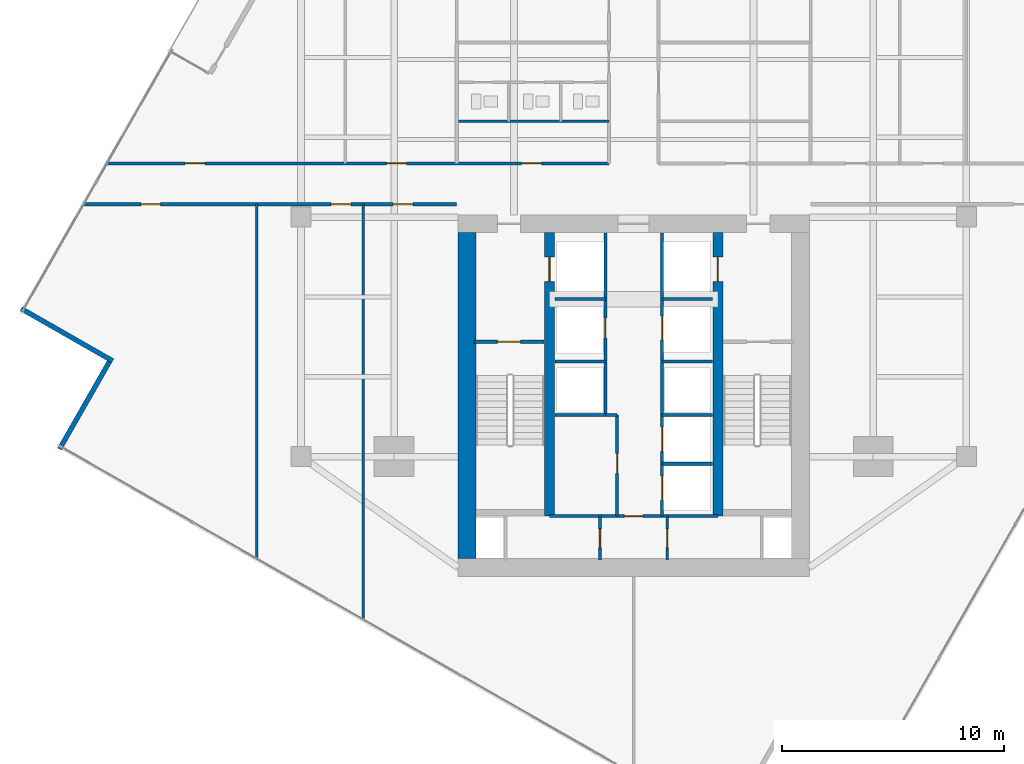
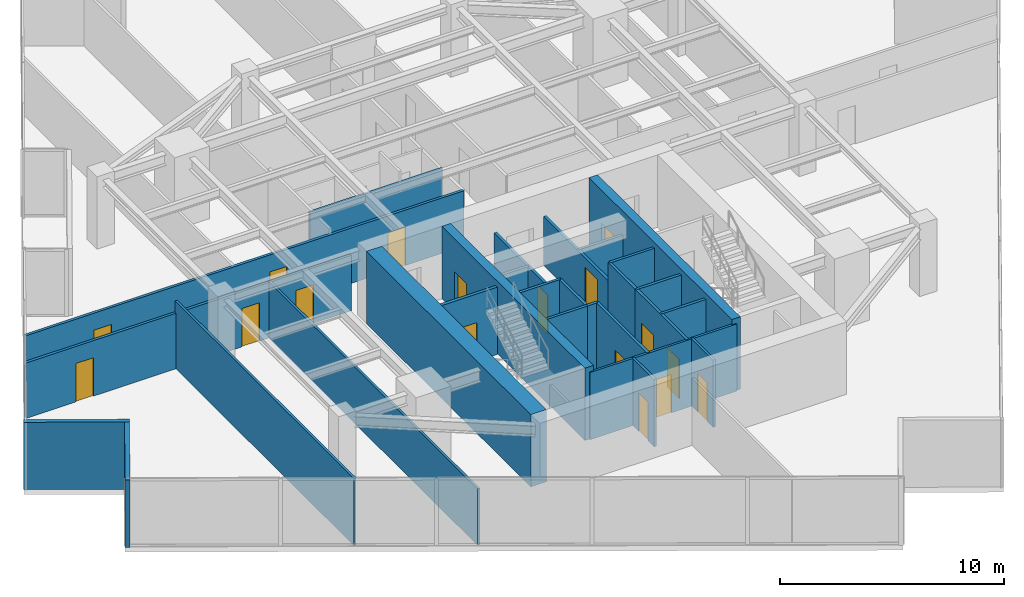
# One storey, part 20 of 24: 28 walls, 17 doors, 17 openings.
"""IFC4 building model written with IfcOpenShell, lengths in metres."""

from ifc_helpers import new_model, si_unit, direction, frame, frame_2d, origin, place, context, subcontext, project, spatial, rectangle, extrude, material, layer, layer_set, type_object, element, fill, save


model = new_model("IFC4")

# Units and contexts
model_context = context("Model", 3, precision=1e-05, world=origin(), true_north=direction((0.0, 1.0)))
body_context = subcontext(model_context, "Body", "Model", "MODEL_VIEW")
ifc_project = project(units=[si_unit("LENGTHUNIT", "METRE"), si_unit("AREAUNIT", "SQUARE_METRE"), si_unit("VOLUMEUNIT", "CUBIC_METRE"), si_unit("PLANEANGLEUNIT", "RADIAN"), si_unit("MASSUNIT", "GRAM", prefix="KILO")], contexts=[model_context])

# Site, building, storey
site_placement = place(None, origin())
site = spatial("IfcSite", under=ifc_project, at=site_placement, CompositionType="ELEMENT")
building_placement = place(site_placement, origin())
building = spatial("IfcBuilding", under=site, at=building_placement, Name="Krantzveldt Concourse Tower", CompositionType="ELEMENT")
storey_placement = place(building_placement, frame((0.0, 0.0, 169.89990234375)))
storey = spatial("IfcBuildingStorey", under=building, at=storey_placement, Name="L41", CompositionType="ELEMENT", Elevation=169.89990234375)

# Walls
ifc_material_1 = material(Name="Anodised aluminium 6063-T6", Category="aluminium")
ifc_layer_1 = layer(ifc_material_1, 0.219970703125, Name="Anodised aluminium 6063-T6", Category="aluminium")
ifc_layer_set_1 = layer_set([ifc_layer_1], Name="Anodised aluminium 6063-T6 (WL-EXT-NOTCH220)")
wall_type_1 = type_object("IfcWallType", Name="WL-EXT-NOTCH220", PredefinedType="ELEMENTEDWALL", material=ifc_layer_set_1)
wall_1_placement = place(storey_placement, frame((8.38525390625, 22.568359375, 0.0), z_axis=(0.0, 0.0, 1.0), x_axis=(0.868192474665, -0.496227595903, 0.0)))
element("IfcWall", 1, at=wall_1_placement, inside=storey, type_object=wall_type_1, Name="EW-L41-NCH06", PredefinedType="ELEMENTEDWALL", context=body_context, shape_type="SweptSolid", body=[
    extrude(rectangle(XDim=4.744873046875, YDim=0.219970703125, at=frame_2d((2.37255859375, 0.0))), origin(), (0.0, 0.0, 1.0), 3.670166015625),
])
wall_2_placement = place(storey_placement, frame((12.354736328125, 20.1728515625, 0.0), z_axis=(0.0, 0.0, 1.0), x_axis=(-0.496226094278, -0.868193332938, 0.0)))
element("IfcWall", 2, at=wall_2_placement, inside=storey, type_object=wall_type_1, Name="EW-L41-NCH07", PredefinedType="ELEMENTEDWALL", context=body_context, shape_type="SweptSolid", body=[
    extrude(rectangle(XDim=4.52490234375, YDim=0.219970703125, at=frame_2d((2.262451171875, 0.0))), origin(), (0.0, 0.0, 1.0), 3.670166015625),
])

# Wall, opening, door
ifc_material_2 = material(Name="Fire-rated gypsum plasterboard on steel stud", Category="steel")
ifc_layer_2 = layer(ifc_material_2, 0.1201171875, Name="Fire-rated gypsum plasterboard on steel stud", Category="steel")
ifc_layer_set_2 = layer_set([ifc_layer_2], Name="Fire-rated gypsum plasterboard on steel stud (WL-PART-120)")
wall_type_2 = type_object("IfcWallType", Name="WL-PART-120", PredefinedType="PARTITIONING", material=ifc_layer_set_2)
wall_3_placement = place(storey_placement, frame((32.2099609375, 13.219970703125, 0.0), z_axis=(0.0, 0.0, 1.0), x_axis=(1.0, 0.0, 0.0)))
wall_3 = element("IfcWall", 3, at=wall_3_placement, inside=storey, type_object=wall_type_2, Name="WP-L41-CS2H", PredefinedType="PARTITIONING", context=body_context, shape_type="SweptSolid", body=[
    extrude(rectangle(XDim=7.580078125, YDim=0.1201171875, at=frame_2d((3.7900390625, 0.0))), origin(), (0.0, 0.0, 1.0), 3.670166015625),
])
opening_1_placement = place(wall_3_placement, frame((3.364990234375, 0.0, 0.0)))
opening_1 = element("IfcOpeningElement", 4, at=opening_1_placement, cuts=wall_3, Name="Opening D-IN085", PredefinedType="OPENING", context=body_context, shape_type="SweptSolid", body=[
    extrude(rectangle(XDim=0.85009765625, YDim=2.10009765625, at=frame_2d((0.425048828125, 1.050048828125))), frame((0.0, 0.070068359375, 0.0), z_axis=(0.0, -1.0, 0.0), x_axis=(1.0, 0.0, 0.0)), (0.0, 0.0, 1.0), 0.14013671875),
])
ifc_material_3 = material(Name="Hardwood timber", Category="wood")
door_type_1 = type_object("IfcDoorType", Name="DR-INT-850", OperationType="SINGLE_SWING_LEFT", PredefinedType="DOOR", material=ifc_material_3)
door_1_placement = place(opening_1_placement, origin())
door_1 = element("IfcDoor", 5, at=door_1_placement, inside=storey, type_object=door_type_1, Name="DR-L41-LLBS", OperationType="SINGLE_SWING_RIGHT", OverallHeight=2.10009765625, OverallWidth=0.85009765625, PredefinedType="DOOR", context=body_context, shape_type="SweptSolid", body=[
    extrude(rectangle(XDim=0.85009765625, YDim=2.10009765625, at=frame_2d((0.425048828125, 1.050048828125))), frame((0.0, 0.02490234375, 0.0), z_axis=(0.0, -1.0, 0.0), x_axis=(1.0, 0.0, 0.0)), (0.0, 0.0, 1.0), 0.050048828125),
])
fill(opening_1, door_1)

wall_4_placement = place(storey_placement, frame((34.47998046875, 11.25, 0.0), z_axis=(0.0, 0.0, 1.0), x_axis=(0.0, 1.0, 0.0)))
wall_4 = element("IfcWall", 6, at=wall_4_placement, inside=storey, type_object=wall_type_2, Name="WP-L41-CSB-VL", PredefinedType="PARTITIONING", context=body_context, shape_type="SweptSolid", body=[
    extrude(rectangle(XDim=1.969970703125, YDim=0.1201171875, at=frame_2d((0.98486328125, 0.0))), origin(), (0.0, 0.0, 1.0), 3.670166015625),
])
opening_2_placement = place(wall_4_placement, frame((0.544921875, 0.0, 0.0)))
opening_2 = element("IfcOpeningElement", 7, at=opening_2_placement, cuts=wall_4, Name="Opening D-IN085", PredefinedType="OPENING", context=body_context, shape_type="SweptSolid", body=[
    extrude(rectangle(XDim=0.85009765625, YDim=2.10009765625, at=frame_2d((0.425048828125, 1.050048828125))), frame((0.0, 0.070068359375, 0.0), z_axis=(0.0, -1.0, 0.0), x_axis=(1.0, 0.0, 0.0)), (0.0, 0.0, 1.0), 0.14013671875),
])
door_2_placement = place(opening_2_placement, origin())
door_2 = element("IfcDoor", 8, at=door_2_placement, inside=storey, type_object=door_type_1, Name="DR-L41-CSB1", OperationType="SINGLE_SWING_LEFT", OverallHeight=2.10009765625, OverallWidth=0.85009765625, PredefinedType="DOOR", context=body_context, shape_type="SweptSolid", body=[
    extrude(rectangle(XDim=0.85009765625, YDim=2.10009765625, at=frame_2d((0.425048828125, 1.050048828125))), frame((0.0, 0.02490234375, 0.0), z_axis=(0.0, -1.0, 0.0), x_axis=(1.0, 0.0, 0.0)), (0.0, 0.0, 1.0), 0.050048828125),
])
fill(opening_2, door_2)

wall_5_placement = place(storey_placement, frame((37.52001953125, 11.25, 0.0), z_axis=(0.0, 0.0, 1.0), x_axis=(0.0, 1.0, 0.0)))
wall_5 = element("IfcWall", 9, at=wall_5_placement, inside=storey, type_object=wall_type_2, Name="WP-L41-CSB-VR", PredefinedType="PARTITIONING", context=body_context, shape_type="SweptSolid", body=[
    extrude(rectangle(XDim=1.969970703125, YDim=0.1201171875, at=frame_2d((0.98486328125, 0.0))), origin(), (0.0, 0.0, 1.0), 3.670166015625),
])
opening_3_placement = place(wall_5_placement, frame((0.544921875, 0.0, 0.0)))
opening_3 = element("IfcOpeningElement", 10, at=opening_3_placement, cuts=wall_5, Name="Opening D-IN085", PredefinedType="OPENING", context=body_context, shape_type="SweptSolid", body=[
    extrude(rectangle(XDim=0.85009765625, YDim=2.10009765625, at=frame_2d((0.425048828125, 1.050048828125))), frame((0.0, 0.070068359375, 0.0), z_axis=(0.0, -1.0, 0.0), x_axis=(1.0, 0.0, 0.0)), (0.0, 0.0, 1.0), 0.14013671875),
])
door_3_placement = place(opening_3_placement, origin())
door_3 = element("IfcDoor", 11, at=door_3_placement, inside=storey, type_object=door_type_1, Name="DR-L41-CSB2", OperationType="SINGLE_SWING_RIGHT", OverallHeight=2.10009765625, OverallWidth=0.85009765625, PredefinedType="DOOR", context=body_context, shape_type="SweptSolid", body=[
    extrude(rectangle(XDim=0.85009765625, YDim=2.10009765625, at=frame_2d((0.425048828125, 1.050048828125))), frame((0.0, 0.02490234375, 0.0), z_axis=(0.0, -1.0, 0.0), x_axis=(1.0, 0.0, 0.0)), (0.0, 0.0, 1.0), 0.050048828125),
])
fill(opening_3, door_3)

# Walls
wall_6_placement = place(storey_placement, frame((28.02001953125, 31.02001953125, 0.0), z_axis=(0.0, 0.0, 1.0), x_axis=(1.0, 0.0, 0.0)))
element("IfcWall", 12, at=wall_6_placement, inside=storey, type_object=wall_type_2, Name="WP-L41-ISML", PredefinedType="PARTITIONING", context=body_context, shape_type="SweptSolid", body=[
    extrude(rectangle(XDim=6.85986328125, YDim=0.1201171875, at=frame_2d((3.429931640625, 0.0))), origin(), (0.0, 0.0, 1.0), 3.080078125),
])
wall_7_placement = place(storey_placement, frame((19.0, 11.29541015625, 0.0), z_axis=(0.0, 0.0, 1.0), x_axis=(0.0, 1.0, 0.0)))
element("IfcWall", 13, at=wall_7_placement, inside=storey, type_object=wall_type_2, Name="WP-L41-SWX1", PredefinedType="PARTITIONING", context=body_context, shape_type="SweptSolid", body=[
    extrude(rectangle(XDim=15.984619140625, YDim=0.1201171875, at=frame_2d((7.9921875, 0.0))), origin(), (0.0, 0.0, 1.0), 3.670166015625),
])
wall_8_placement = place(storey_placement, frame((23.800048828125, 8.552001953125, 0.0), z_axis=(0.0, 0.0, 1.0), x_axis=(0.0, 1.0, 0.0)))
element("IfcWall", 14, at=wall_8_placement, inside=storey, type_object=wall_type_2, Name="WP-L41-SWX2", PredefinedType="PARTITIONING", context=body_context, shape_type="SweptSolid", body=[
    extrude(rectangle(XDim=18.72802734375, YDim=0.1201171875, at=frame_2d((9.364013671875, 0.0))), origin(), (0.0, 0.0, 1.0), 3.080078125),
])

# Wall, openings, doors
ifc_layer_3 = layer(ifc_material_2, 0.139892578125, Name="Fire-rated gypsum plasterboard on steel stud", Category="steel")
ifc_layer_set_3 = layer_set([ifc_layer_3], Name="Fire-rated gypsum plasterboard on steel stud (WL-PART-140)")
wall_type_3 = type_object("IfcWallType", Name="WL-PART-140", PredefinedType="PARTITIONING", material=ifc_layer_set_3)
wall_9_placement = place(storey_placement, frame((12.26220703125, 29.1201171875, 0.0), z_axis=(0.0, 0.0, 1.0), x_axis=(1.0, 0.0, 0.0)))
wall_9 = element("IfcWall", 15, at=wall_9_placement, inside=storey, type_object=wall_type_3, Name="WP-L41-EWNL", PredefinedType="PARTITIONING", context=body_context, shape_type="SweptSolid", body=[
    extrude(rectangle(XDim=22.61767578125, YDim=0.139892578125, at=frame_2d((11.308837890625, 0.0))), origin(), (0.0, 0.0, 1.0), 3.030029296875),
])
opening_4_placement = place(wall_9_placement, frame((18.687744140625, 0.0, 0.0)))
opening_4 = element("IfcOpeningElement", 16, at=opening_4_placement, cuts=wall_9, Name="Opening D-IN090", PredefinedType="OPENING", context=body_context, shape_type="SweptSolid", body=[
    extrude(rectangle(XDim=0.89990234375, YDim=2.10009765625, at=frame_2d((0.449951171875, 1.050048828125))), frame((0.0, 0.080078125, 0.0), z_axis=(0.0, -1.0, 0.0), x_axis=(1.0, 0.0, 0.0)), (0.0, 0.0, 1.0), 0.159912109375),
])
opening_5_placement = place(wall_9_placement, frame((3.513916015625, 0.0, 0.0)))
opening_5 = element("IfcOpeningElement", 17, at=opening_5_placement, cuts=wall_9, Name="Opening D-IN090", PredefinedType="OPENING", context=body_context, shape_type="SweptSolid", body=[
    extrude(rectangle(XDim=0.89990234375, YDim=2.10009765625, at=frame_2d((0.449951171875, 1.050048828125))), frame((0.0, 0.080078125, 0.0), z_axis=(0.0, -1.0, 0.0), x_axis=(1.0, 0.0, 0.0)), (0.0, 0.0, 1.0), 0.159912109375),
])
opening_6_placement = place(wall_9_placement, frame((12.587890625, 0.0, 0.0)))
opening_6 = element("IfcOpeningElement", 18, at=opening_6_placement, cuts=wall_9, Name="Opening D-IN090", PredefinedType="OPENING", context=body_context, shape_type="SweptSolid", body=[
    extrude(rectangle(XDim=0.89990234375, YDim=2.10009765625, at=frame_2d((0.449951171875, 1.050048828125))), frame((0.0, 0.080078125, 0.0), z_axis=(0.0, -1.0, 0.0), x_axis=(1.0, 0.0, 0.0)), (0.0, 0.0, 1.0), 0.159912109375),
])
door_type_2 = type_object("IfcDoorType", Name="DR-INT-900", OperationType="SINGLE_SWING_LEFT", PredefinedType="DOOR", material=ifc_material_3)
door_4_placement = place(opening_4_placement, origin())
door_4 = element("IfcDoor", 19, at=door_4_placement, inside=storey, type_object=door_type_2, Name="DR-L41-ALCL", OperationType="SINGLE_SWING_LEFT", OverallHeight=2.10009765625, OverallWidth=0.89990234375, PredefinedType="DOOR", context=body_context, shape_type="SweptSolid", body=[
    extrude(rectangle(XDim=0.89990234375, YDim=2.10009765625, at=frame_2d((0.449951171875, 1.050048828125))), frame((0.0, 0.02490234375, 0.0), z_axis=(0.0, -1.0, 0.0), x_axis=(1.0, 0.0, 0.0)), (0.0, 0.0, 1.0), 0.050048828125),
])
fill(opening_4, door_4)
door_5_placement = place(opening_5_placement, origin())
door_5 = element("IfcDoor", 20, at=door_5_placement, inside=storey, type_object=door_type_2, Name="DR-L41-NWX1", OperationType="SINGLE_SWING_LEFT", OverallHeight=2.10009765625, OverallWidth=0.89990234375, PredefinedType="DOOR", context=body_context, shape_type="SweptSolid", body=[
    extrude(rectangle(XDim=0.89990234375, YDim=2.10009765625, at=frame_2d((0.449951171875, 1.050048828125))), frame((0.0, 0.02490234375, 0.0), z_axis=(0.0, -1.0, 0.0), x_axis=(1.0, 0.0, 0.0)), (0.0, 0.0, 1.0), 0.050048828125),
])
fill(opening_5, door_5)
door_6_placement = place(opening_6_placement, origin())
door_6 = element("IfcDoor", 21, at=door_6_placement, inside=storey, type_object=door_type_2, Name="DR-L41-NWX2", OperationType="SINGLE_SWING_LEFT", OverallHeight=2.10009765625, OverallWidth=0.89990234375, PredefinedType="DOOR", context=body_context, shape_type="SweptSolid", body=[
    extrude(rectangle(XDim=0.89990234375, YDim=2.10009765625, at=frame_2d((0.449951171875, 1.050048828125))), frame((0.0, 0.02490234375, 0.0), z_axis=(0.0, -1.0, 0.0), x_axis=(1.0, 0.0, 0.0)), (0.0, 0.0, 1.0), 0.050048828125),
])
fill(opening_6, door_6)

wall_10_placement = place(storey_placement, frame((11.21044921875, 27.280029296875, 0.0), z_axis=(0.0, 0.0, 1.0), x_axis=(1.0, 0.0, 0.0)))
wall_10 = element("IfcWall", 22, at=wall_10_placement, inside=storey, type_object=wall_type_3, Name="WP-L41-EWSL", PredefinedType="PARTITIONING", context=body_context, shape_type="SweptSolid", body=[
    extrude(rectangle(XDim=16.78955078125, YDim=0.139892578125, at=frame_2d((8.394775390625, 0.0))), origin(), (0.0, 0.0, 1.0), 3.030029296875),
])
opening_7_placement = place(wall_10_placement, frame((2.5654296875, 0.0, 0.0)))
opening_7 = element("IfcOpeningElement", 23, at=opening_7_placement, cuts=wall_10, Name="Opening D-IN090", PredefinedType="OPENING", context=body_context, shape_type="SweptSolid", body=[
    extrude(rectangle(XDim=0.89990234375, YDim=2.10009765625, at=frame_2d((0.449951171875, 1.050048828125))), frame((0.0, 0.080078125, 0.0), z_axis=(0.0, -1.0, 0.0), x_axis=(1.0, 0.0, 0.0)), (0.0, 0.0, 1.0), 0.159912109375),
])
opening_8_placement = place(wall_10_placement, frame((11.139404296875, 0.0, 0.0)))
opening_8 = element("IfcOpeningElement", 24, at=opening_8_placement, cuts=wall_10, Name="Opening D-IN090", PredefinedType="OPENING", context=body_context, shape_type="SweptSolid", body=[
    extrude(rectangle(XDim=0.89990234375, YDim=2.10009765625, at=frame_2d((0.449951171875, 1.050048828125))), frame((0.0, 0.080078125, 0.0), z_axis=(0.0, -1.0, 0.0), x_axis=(1.0, 0.0, 0.0)), (0.0, 0.0, 1.0), 0.159912109375),
])
opening_9_placement = place(wall_10_placement, frame((13.939453125, 0.0, 0.0)))
opening_9 = element("IfcOpeningElement", 25, at=opening_9_placement, cuts=wall_10, Name="Opening D-IN090", PredefinedType="OPENING", context=body_context, shape_type="SweptSolid", body=[
    extrude(rectangle(XDim=0.89990234375, YDim=2.10009765625, at=frame_2d((0.449951171875, 1.050048828125))), frame((0.0, 0.080078125, 0.0), z_axis=(0.0, -1.0, 0.0), x_axis=(1.0, 0.0, 0.0)), (0.0, 0.0, 1.0), 0.159912109375),
])
door_7_placement = place(opening_7_placement, origin())
door_7 = element("IfcDoor", 26, at=door_7_placement, inside=storey, type_object=door_type_2, Name="DR-L41-SWX1", OperationType="SINGLE_SWING_LEFT", OverallHeight=2.10009765625, OverallWidth=0.89990234375, PredefinedType="DOOR", context=body_context, shape_type="SweptSolid", body=[
    extrude(rectangle(XDim=0.89990234375, YDim=2.10009765625, at=frame_2d((0.449951171875, 1.050048828125))), frame((0.0, 0.02490234375, 0.0), z_axis=(0.0, -1.0, 0.0), x_axis=(1.0, 0.0, 0.0)), (0.0, 0.0, 1.0), 0.050048828125),
])
fill(opening_7, door_7)
door_8_placement = place(opening_8_placement, origin())
door_8 = element("IfcDoor", 27, at=door_8_placement, inside=storey, type_object=door_type_2, Name="DR-L41-SWX2", OperationType="SINGLE_SWING_LEFT", OverallHeight=2.10009765625, OverallWidth=0.89990234375, PredefinedType="DOOR", context=body_context, shape_type="SweptSolid", body=[
    extrude(rectangle(XDim=0.89990234375, YDim=2.10009765625, at=frame_2d((0.449951171875, 1.050048828125))), frame((0.0, 0.02490234375, 0.0), z_axis=(0.0, -1.0, 0.0), x_axis=(1.0, 0.0, 0.0)), (0.0, 0.0, 1.0), 0.050048828125),
])
fill(opening_8, door_8)
door_9_placement = place(opening_9_placement, origin())
door_9 = element("IfcDoor", 28, at=door_9_placement, inside=storey, type_object=door_type_2, Name="DR-L41-SWX3", OperationType="SINGLE_SWING_LEFT", OverallHeight=2.10009765625, OverallWidth=0.89990234375, PredefinedType="DOOR", context=body_context, shape_type="SweptSolid", body=[
    extrude(rectangle(XDim=0.89990234375, YDim=2.10009765625, at=frame_2d((0.449951171875, 1.050048828125))), frame((0.0, 0.02490234375, 0.0), z_axis=(0.0, -1.0, 0.0), x_axis=(1.0, 0.0, 0.0)), (0.0, 0.0, 1.0), 0.050048828125),
])
fill(opening_9, door_9)

# Wall, opening, door
ifc_layer_4 = layer(ifc_material_2, 0.139892578125, Name="Fire-rated gypsum plasterboard on steel stud", Category="steel")
ifc_layer_set_4 = layer_set([ifc_layer_4], Name="Fire-rated gypsum plasterboard on steel stud (WL-PART-FR140)")
wall_type_4 = type_object("IfcWallType", Name="WL-PART-FR140", PredefinedType="PARTITIONING", material=ifc_layer_set_4)
wall_11_placement = place(storey_placement, frame((34.719970703125, 20.199951171875, 0.0), z_axis=(0.0, 0.0, 1.0), x_axis=(0.0, 1.0, 0.0)))
wall_11 = element("IfcWall", 29, at=wall_11_placement, inside=storey, type_object=wall_type_4, Name="WP-L41-SHNW", PredefinedType="PARTITIONING", context=body_context, shape_type="SweptSolid", body=[
    extrude(rectangle(XDim=5.780029296875, YDim=0.139892578125, at=frame_2d((2.89013671875, 0.0))), origin(), (0.0, 0.0, 1.0), 2.670166015625),
])
opening_10_placement = place(wall_11_placement, frame((1.050048828125, 0.0, 0.0)))
opening_10 = element("IfcOpeningElement", 30, at=opening_10_placement, cuts=wall_11, Name="Opening D-FD090", PredefinedType="OPENING", context=body_context, shape_type="SweptSolid", body=[
    extrude(rectangle(XDim=0.89990234375, YDim=2.10009765625, at=frame_2d((0.449951171875, 1.050048828125))), frame((0.0, 0.080078125, 0.0), z_axis=(0.0, -1.0, 0.0), x_axis=(1.0, 0.0, 0.0)), (0.0, 0.0, 1.0), 0.159912109375),
])
door_type_3 = type_object("IfcDoorType", Name="DR-FD60-900", OperationType="SINGLE_SWING_LEFT", PredefinedType="DOOR", material=ifc_material_3)
door_10_placement = place(opening_10_placement, origin())
door_10 = element("IfcDoor", 31, at=door_10_placement, inside=storey, type_object=door_type_3, Name="Electrical Riser Access Door L41", OperationType="SINGLE_SWING_LEFT", OverallHeight=2.10009765625, OverallWidth=0.89990234375, PredefinedType="DOOR", context=body_context, shape_type="SweptSolid", body=[
    extrude(rectangle(XDim=0.89990234375, YDim=2.10009765625, at=frame_2d((0.449951171875, 1.050048828125))), frame((0.0, 0.02490234375, 0.0), z_axis=(0.0, -1.0, 0.0), x_axis=(1.0, 0.0, 0.0)), (0.0, 0.0, 1.0), 0.050048828125),
])
fill(opening_10, door_10)

wall_12_placement = place(storey_placement, frame((37.280029296875, 20.199951171875, 0.0), z_axis=(0.0, 0.0, 1.0), x_axis=(0.0, 1.0, 0.0)))
wall_12 = element("IfcWall", 32, at=wall_12_placement, inside=storey, type_object=wall_type_4, Name="WP-L41-SHNE", PredefinedType="PARTITIONING", context=body_context, shape_type="SweptSolid", body=[
    extrude(rectangle(XDim=5.780029296875, YDim=0.139892578125, at=frame_2d((2.89013671875, 0.0))), origin(), (0.0, 0.0, 1.0), 2.670166015625),
])
opening_11_placement = place(wall_12_placement, frame((0.949951171875, 0.0, 0.0)))
opening_11 = element("IfcOpeningElement", 33, at=opening_11_placement, cuts=wall_12, Name="Opening LD", PredefinedType="OPENING", context=body_context, shape_type="SweptSolid", body=[
    extrude(rectangle(XDim=1.10009765625, YDim=2.14990234375, at=frame_2d((0.550048828125, 1.074951171875))), frame((0.0, 0.080078125, 0.0), z_axis=(0.0, -1.0, 0.0), x_axis=(1.0, 0.0, 0.0)), (0.0, 0.0, 1.0), 0.159912109375),
])
ifc_material_4 = material(Name="Stainless steel 316L", Category="steel")
door_type_4 = type_object("IfcDoorType", Name="DR-SLIDE-LD1100", OperationType="DOUBLE_DOOR_SLIDING", PredefinedType="DOOR", material=ifc_material_4)
door_11_placement = place(opening_11_placement, origin())
door_11 = element("IfcDoor", 34, at=door_11_placement, inside=storey, type_object=door_type_4, Name="LD-L41-GL1", OperationType="DOUBLE_DOOR_SLIDING", OverallHeight=2.14990234375, OverallWidth=1.10009765625, PredefinedType="DOOR", context=body_context, shape_type="SweptSolid", body=[
    extrude(rectangle(XDim=1.10009765625, YDim=2.14990234375, at=frame_2d((0.550048828125, 1.074951171875))), frame((0.0, 0.02490234375, 0.0), z_axis=(0.0, -1.0, 0.0), x_axis=(1.0, 0.0, 0.0)), (0.0, 0.0, 1.0), 0.050048828125),
])
fill(opening_11, door_11)

# Walls
for number, where, z_axis, x_axis, name in (
    (35, (32.449951171875, 23.0, 0.0), (0.0, 0.0, 1.0), (1.0, 0.0, 0.0), "WP-L41-RISH"),
    (36, (37.280029296875, 23.0, 0.0), (0.0, 0.0, 1.0), (1.0, 0.0, 0.0), "WP-L41-GLH"),
):
    element("IfcWall", number, at=place(storey_placement, frame(where, z_axis=z_axis, x_axis=x_axis)), inside=storey, type_object=wall_type_4, Name=name, PredefinedType="PARTITIONING", context=body_context, shape_type="SweptSolid", body=[
        extrude(rectangle(XDim=2.27001953125, YDim=0.139892578125, at=frame_2d((1.135009765625, 0.0))), origin(), (0.0, 0.0, 1.0), 2.670166015625),
    ])
for number, where, z_axis, x_axis, name in (
    (37, (34.719970703125, 17.780029296875, 0.0), (0.0, 0.0, 1.0), (0.0, 1.0, 0.0), "WP-L41-SHNW2"),
    (38, (37.280029296875, 17.780029296875, 0.0), (0.0, 0.0, 1.0), (0.0, 1.0, 0.0), "WP-L41-SHNE2"),
):
    element("IfcWall", number, at=place(storey_placement, frame(where, z_axis=z_axis, x_axis=x_axis)), inside=storey, type_object=wall_type_4, Name=name, PredefinedType="PARTITIONING", context=body_context, shape_type="SweptSolid", body=[
        extrude(rectangle(XDim=2.419921875, YDim=0.139892578125, at=frame_2d((1.2099609375, 0.0))), origin(), (0.0, 0.0, 1.0), 3.670166015625),
    ])
for number, where, z_axis, x_axis, name in (
    (39, (32.449951171875, 17.780029296875, 0.0), (0.0, 0.0, 1.0), (1.0, 0.0, 0.0), "WP-L41-DIVW2"),
    (40, (32.449951171875, 20.179931640625, 0.0), (0.0, 0.0, 1.0), (1.0, 0.0, 0.0), "WP-L41-DIVW3"),
    (41, (37.280029296875, 17.780029296875, 0.0), (0.0, 0.0, 1.0), (1.0, 0.0, 0.0), "WP-L41-DIVE2"),
    (42, (37.280029296875, 20.179931640625, 0.0), (0.0, 0.0, 1.0), (1.0, 0.0, 0.0), "WP-L41-DIVE3"),
):
    element("IfcWall", number, at=place(storey_placement, frame(where, z_axis=z_axis, x_axis=x_axis)), inside=storey, type_object=wall_type_4, Name=name, PredefinedType="PARTITIONING", context=body_context, shape_type="SweptSolid", body=[
        extrude(rectangle(XDim=2.27001953125, YDim=0.139892578125, at=frame_2d((1.135009765625, 0.0))), origin(), (0.0, 0.0, 1.0), 3.670166015625),
    ])

# Wall, opening, door
wall_13_placement = place(storey_placement, frame((35.25, 13.219970703125, 0.0), z_axis=(0.0, 0.0, 1.0), x_axis=(0.0, 1.0, 0.0)))
wall_13 = element("IfcWall", 43, at=wall_13_placement, inside=storey, type_object=wall_type_4, Name="WP-L41-RECW", PredefinedType="PARTITIONING", context=body_context, shape_type="SweptSolid", body=[
    extrude(rectangle(XDim=4.56005859375, YDim=0.139892578125, at=frame_2d((2.280029296875, 0.0))), origin(), (0.0, 0.0, 1.0), 3.670166015625),
])
opening_12_placement = place(wall_13_placement, frame((1.929931640625, 0.0, 0.0)))
opening_12 = element("IfcOpeningElement", 44, at=opening_12_placement, cuts=wall_13, Name="Opening D-FD090", PredefinedType="OPENING", context=body_context, shape_type="SweptSolid", body=[
    extrude(rectangle(XDim=0.89990234375, YDim=2.10009765625, at=frame_2d((0.449951171875, 1.050048828125))), frame((0.0, 0.080078125, 0.0), z_axis=(0.0, -1.0, 0.0), x_axis=(1.0, 0.0, 0.0)), (0.0, 0.0, 1.0), 0.159912109375),
])
door_12_placement = place(opening_12_placement, origin())
door_12 = element("IfcDoor", 45, at=door_12_placement, inside=storey, type_object=door_type_3, Name="DR-L41-RECW", OperationType="SINGLE_SWING_LEFT", OverallHeight=2.10009765625, OverallWidth=0.89990234375, PredefinedType="DOOR", context=body_context, shape_type="SweptSolid", body=[
    extrude(rectangle(XDim=0.89990234375, YDim=2.10009765625, at=frame_2d((0.449951171875, 1.050048828125))), frame((0.0, 0.02490234375, 0.0), z_axis=(0.0, -1.0, 0.0), x_axis=(1.0, 0.0, 0.0)), (0.0, 0.0, 1.0), 0.050048828125),
])
fill(opening_12, door_12)

# Wall
wall_14_placement = place(storey_placement, frame((34.719970703125, 17.780029296875, 0.0), z_axis=(0.0, 0.0, 1.0), x_axis=(1.0, 0.0, 0.0)))
element("IfcWall", 46, at=wall_14_placement, inside=storey, type_object=wall_type_4, Name="WP-L41-RECWN", PredefinedType="PARTITIONING", context=body_context, shape_type="SweptSolid", body=[
    extrude(rectangle(XDim=0.530029296875, YDim=0.139892578125, at=frame_2d((0.26513671875, 0.0))), origin(), (0.0, 0.0, 1.0), 3.670166015625),
])

# Wall, openings, doors
wall_15_placement = place(storey_placement, frame((37.280029296875, 13.219970703125, 0.0), z_axis=(0.0, 0.0, 1.0), x_axis=(0.0, 1.0, 0.0)))
wall_15 = element("IfcWall", 47, at=wall_15_placement, inside=storey, type_object=wall_type_4, Name="WP-L41-SHSE", PredefinedType="PARTITIONING", context=body_context, shape_type="SweptSolid", body=[
    extrude(rectangle(XDim=4.56005859375, YDim=0.139892578125, at=frame_2d((2.280029296875, 0.0))), origin(), (0.0, 0.0, 1.0), 3.670166015625),
])
opening_13_placement = place(wall_15_placement, frame((0.7099609375, 0.0, 0.0)))
opening_13 = element("IfcOpeningElement", 48, at=opening_13_placement, cuts=wall_15, Name="Opening LD", PredefinedType="OPENING", context=body_context, shape_type="SweptSolid", body=[
    extrude(rectangle(XDim=1.10009765625, YDim=2.14990234375, at=frame_2d((0.550048828125, 1.074951171875))), frame((0.0, 0.080078125, 0.0), z_axis=(0.0, -1.0, 0.0), x_axis=(1.0, 0.0, 0.0)), (0.0, 0.0, 1.0), 0.159912109375),
])
opening_14_placement = place(wall_15_placement, frame((2.909912109375, 0.0, 0.0)))
opening_14 = element("IfcOpeningElement", 49, at=opening_14_placement, cuts=wall_15, Name="Opening LD", PredefinedType="OPENING", context=body_context, shape_type="SweptSolid", body=[
    extrude(rectangle(XDim=1.10009765625, YDim=2.14990234375, at=frame_2d((0.550048828125, 1.074951171875))), frame((0.0, 0.080078125, 0.0), z_axis=(0.0, -1.0, 0.0), x_axis=(1.0, 0.0, 0.0)), (0.0, 0.0, 1.0), 0.159912109375),
])
door_13_placement = place(opening_13_placement, origin())
door_13 = element("IfcDoor", 50, at=door_13_placement, inside=storey, type_object=door_type_4, Name="LD-L41-PM1", OperationType="DOUBLE_DOOR_SLIDING", OverallHeight=2.14990234375, OverallWidth=1.10009765625, PredefinedType="DOOR", context=body_context, shape_type="SweptSolid", body=[
    extrude(rectangle(XDim=1.10009765625, YDim=2.14990234375, at=frame_2d((0.550048828125, 1.074951171875))), frame((0.0, 0.02490234375, 0.0), z_axis=(0.0, -1.0, 0.0), x_axis=(1.0, 0.0, 0.0)), (0.0, 0.0, 1.0), 0.050048828125),
])
fill(opening_13, door_13)
door_14_placement = place(opening_14_placement, origin())
door_14 = element("IfcDoor", 51, at=door_14_placement, inside=storey, type_object=door_type_4, Name="LD-L41-PM2", OperationType="DOUBLE_DOOR_SLIDING", OverallHeight=2.14990234375, OverallWidth=1.10009765625, PredefinedType="DOOR", context=body_context, shape_type="SweptSolid", body=[
    extrude(rectangle(XDim=1.10009765625, YDim=2.14990234375, at=frame_2d((0.550048828125, 1.074951171875))), frame((0.0, 0.02490234375, 0.0), z_axis=(0.0, -1.0, 0.0), x_axis=(1.0, 0.0, 0.0)), (0.0, 0.0, 1.0), 0.050048828125),
])
fill(opening_14, door_14)

# Wall
wall_16_placement = place(storey_placement, frame((37.280029296875, 15.580078125, 0.0), z_axis=(0.0, 0.0, 1.0), x_axis=(1.0, 0.0, 0.0)))
element("IfcWall", 52, at=wall_16_placement, inside=storey, type_object=wall_type_4, Name="WP-L41-DIVE1", PredefinedType="PARTITIONING", context=body_context, shape_type="SweptSolid", body=[
    extrude(rectangle(XDim=2.27001953125, YDim=0.139892578125, at=frame_2d((1.135009765625, 0.0))), origin(), (0.0, 0.0, 1.0), 3.670166015625),
])

# Wall, opening, door
ifc_layer_5 = layer(ifc_material_2, 0.159912109375, Name="Fire-rated gypsum plasterboard on steel stud", Category="steel")
ifc_layer_set_5 = layer_set([ifc_layer_5], Name="Fire-rated gypsum plasterboard on steel stud (WL-PART-FR160)")
wall_type_5 = type_object("IfcWallType", Name="WL-PART-FR160", PredefinedType="PARTITIONING", material=ifc_layer_set_5)
wall_17_placement = place(storey_placement, frame((28.800048828125, 21.080078125, 0.0), z_axis=(0.0, 0.0, 1.0), x_axis=(1.0, 0.0, 0.0)))
wall_17 = element("IfcWall", 53, at=wall_17_placement, inside=storey, type_object=wall_type_5, Name="WP-L41-ST1", PredefinedType="PARTITIONING", context=body_context, shape_type="SweptSolid", body=[
    extrude(rectangle(XDim=3.159912109375, YDim=0.159912109375, at=frame_2d((1.580078125, 0.0))), origin(), (0.0, 0.0, 1.0), 3.670166015625),
])
opening_15_placement = place(wall_17_placement, frame((1.054931640625, 0.0, 0.0)))
opening_15 = element("IfcOpeningElement", 54, at=opening_15_placement, cuts=wall_17, Name="Opening D-FD105", PredefinedType="OPENING", context=body_context, shape_type="SweptSolid", body=[
    extrude(rectangle(XDim=1.050048828125, YDim=2.10009765625, at=frame_2d((0.52490234375, 1.050048828125))), frame((0.0, 0.08984375, 0.0), z_axis=(0.0, -1.0, 0.0), x_axis=(1.0, 0.0, 0.0)), (0.0, 0.0, 1.0), 0.179931640625),
])
ifc_material_5 = material(Name="Galvanised steel", Category="steel")
door_type_5 = type_object("IfcDoorType", Name="DR-FD120-1050", OperationType="SINGLE_SWING_LEFT", PredefinedType="DOOR", material=ifc_material_5)
door_15_placement = place(opening_15_placement, origin())
door_15 = element("IfcDoor", 55, at=door_15_placement, inside=storey, type_object=door_type_5, Name="DR-L41-ST1", OperationType="SINGLE_SWING_RIGHT", OverallHeight=2.10009765625, OverallWidth=1.050048828125, PredefinedType="DOOR", context=body_context, shape_type="SweptSolid", body=[
    extrude(rectangle(XDim=1.050048828125, YDim=2.10009765625, at=frame_2d((0.52490234375, 1.050048828125))), frame((0.0, 0.02490234375, 0.0), z_axis=(0.0, -1.0, 0.0), x_axis=(1.0, 0.0, 0.0)), (0.0, 0.0, 1.0), 0.050048828125),
])
fill(opening_15, door_15)

ifc_material_6 = material(Name="Concrete C50/60", Category="concrete")
ifc_layer_6 = layer(ifc_material_6, 0.449951171875, Name="Concrete C50/60", Category="concrete")
ifc_layer_set_6 = layer_set([ifc_layer_6], Name="Concrete C50/60 (WL-SHEAR-450)")
wall_type_6 = type_object("IfcWallType", Name="WL-SHEAR-450", PredefinedType="SHEAR", material=ifc_layer_set_6)
wall_18_placement = place(storey_placement, frame((32.205078125, 13.219970703125, 0.0), z_axis=(0.0, 0.0, 1.0), x_axis=(0.0, 1.0, 0.0)))
wall_18 = element("IfcWall", 56, at=wall_18_placement, inside=storey, type_object=wall_type_6, Name="CW-L41-IW", PredefinedType="SHEAR", context=body_context, shape_type="SweptSolid", body=[
    extrude(rectangle(XDim=12.780029296875, YDim=0.449951171875, at=frame_2d((6.39013671875, 0.0))), origin(), (0.0, 0.0, 1.0), 3.9501953125),
])
opening_16_placement = place(wall_18_placement, frame((10.580078125, 0.0, 0.0)))
opening_16 = element("IfcOpeningElement", 57, at=opening_16_placement, cuts=wall_18, Name="Opening LD", PredefinedType="OPENING", context=body_context, shape_type="SweptSolid", body=[
    extrude(rectangle(XDim=1.10009765625, YDim=2.14990234375, at=frame_2d((0.550048828125, 1.074951171875))), frame((0.0, 0.23486328125, 0.0), z_axis=(0.0, -1.0, 0.0), x_axis=(1.0, 0.0, 0.0)), (0.0, 0.0, 1.0), 0.469970703125),
])
door_16_placement = place(opening_16_placement, origin())
door_16 = element("IfcDoor", 58, at=door_16_placement, inside=storey, type_object=door_type_4, Name="LD-L41-FL1", OperationType="DOUBLE_DOOR_SLIDING", OverallHeight=2.14990234375, OverallWidth=1.10009765625, PredefinedType="DOOR", context=body_context, shape_type="SweptSolid", body=[
    extrude(rectangle(XDim=1.10009765625, YDim=2.14990234375, at=frame_2d((0.550048828125, 1.074951171875))), frame((0.0, 0.02490234375, 0.0), z_axis=(0.0, -1.0, 0.0), x_axis=(1.0, 0.0, 0.0)), (0.0, 0.0, 1.0), 0.050048828125),
])
fill(opening_16, door_16)

wall_19_placement = place(storey_placement, frame((39.794921875, 13.219970703125, 0.0), z_axis=(0.0, 0.0, 1.0), x_axis=(0.0, 1.0, 0.0)))
wall_19 = element("IfcWall", 59, at=wall_19_placement, inside=storey, type_object=wall_type_6, Name="CW-L41-IE", PredefinedType="SHEAR", context=body_context, shape_type="SweptSolid", body=[
    extrude(rectangle(XDim=12.780029296875, YDim=0.449951171875, at=frame_2d((6.39013671875, 0.0))), origin(), (0.0, 0.0, 1.0), 3.9501953125),
])
opening_17_placement = place(wall_19_placement, frame((10.580078125, 0.0, 0.0)))
opening_17 = element("IfcOpeningElement", 60, at=opening_17_placement, cuts=wall_19, Name="Opening LD", PredefinedType="OPENING", context=body_context, shape_type="SweptSolid", body=[
    extrude(rectangle(XDim=1.10009765625, YDim=2.14990234375, at=frame_2d((0.550048828125, 1.074951171875))), frame((0.0, 0.23486328125, 0.0), z_axis=(0.0, -1.0, 0.0), x_axis=(1.0, 0.0, 0.0)), (0.0, 0.0, 1.0), 0.469970703125),
])
door_17_placement = place(opening_17_placement, origin())
door_17 = element("IfcDoor", 61, at=door_17_placement, inside=storey, type_object=door_type_4, Name="LD-L41-FL2", OperationType="DOUBLE_DOOR_SLIDING", OverallHeight=2.14990234375, OverallWidth=1.10009765625, PredefinedType="DOOR", context=body_context, shape_type="SweptSolid", body=[
    extrude(rectangle(XDim=1.10009765625, YDim=2.14990234375, at=frame_2d((0.550048828125, 1.074951171875))), frame((0.0, 0.02490234375, 0.0), z_axis=(0.0, -1.0, 0.0), x_axis=(1.0, 0.0, 0.0)), (0.0, 0.0, 1.0), 0.050048828125),
])
fill(opening_17, door_17)

# Wall
ifc_material_7 = material(Name="Concrete C60/75", Category="concrete")
ifc_layer_7 = layer(ifc_material_7, 0.800048828125, Name="Concrete C60/75", Category="concrete")
ifc_layer_set_7 = layer_set([ifc_layer_7], Name="Concrete C60/75 (WL-SHEAR-800)")
wall_type_7 = type_object("IfcWallType", Name="WL-SHEAR-800", PredefinedType="SHEAR", material=ifc_layer_set_7)
wall_20_placement = place(storey_placement, frame((28.47998046875, 11.300048828125, 0.0), z_axis=(0.0, 0.0, 1.0), x_axis=(0.0, 1.0, 0.0)))
element("IfcWall", 62, at=wall_20_placement, inside=storey, type_object=wall_type_7, Name="CW-L41-W", PredefinedType="SHEAR", context=body_context, shape_type="SweptSolid", body=[
    extrude(rectangle(XDim=14.699951171875, YDim=0.800048828125, at=frame_2d((7.35009765625, 0.0))), origin(), (0.0, 0.0, 1.0), 3.9501953125),
])

save(model, "model.ifc")
